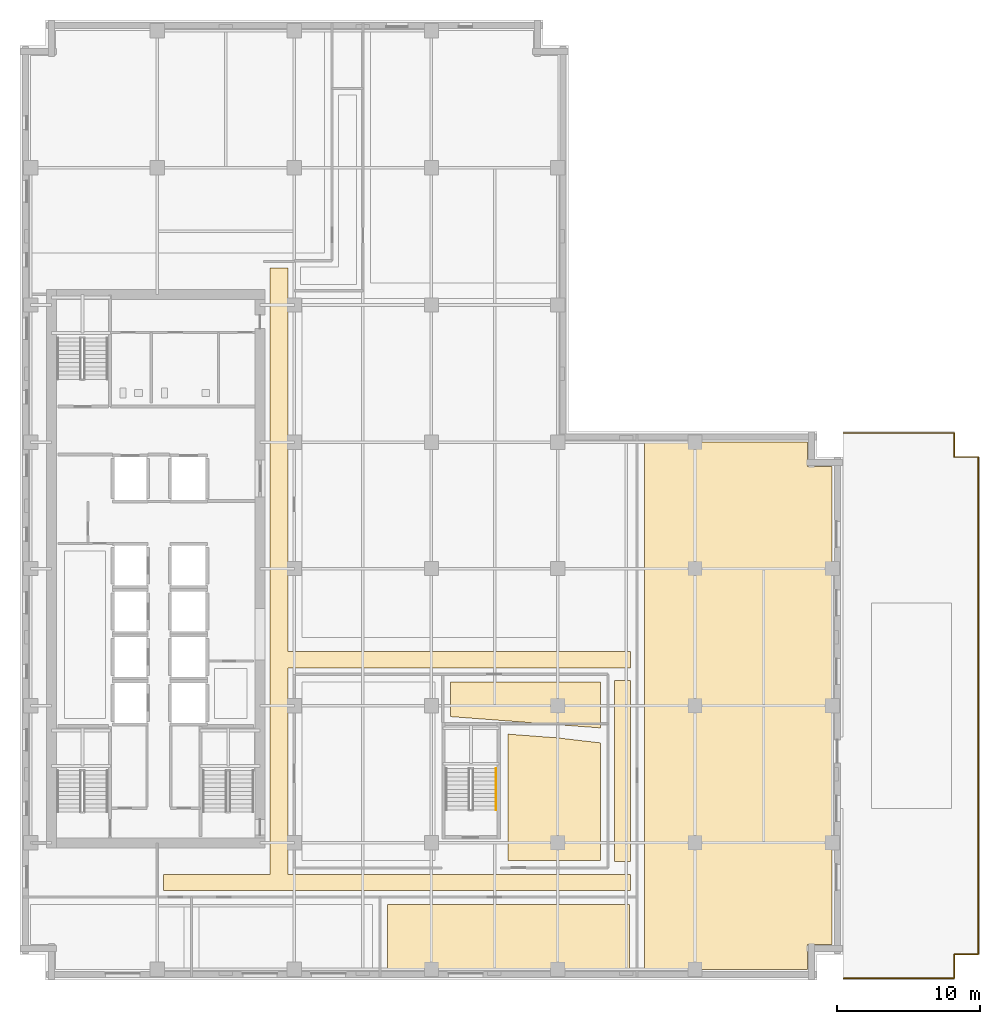
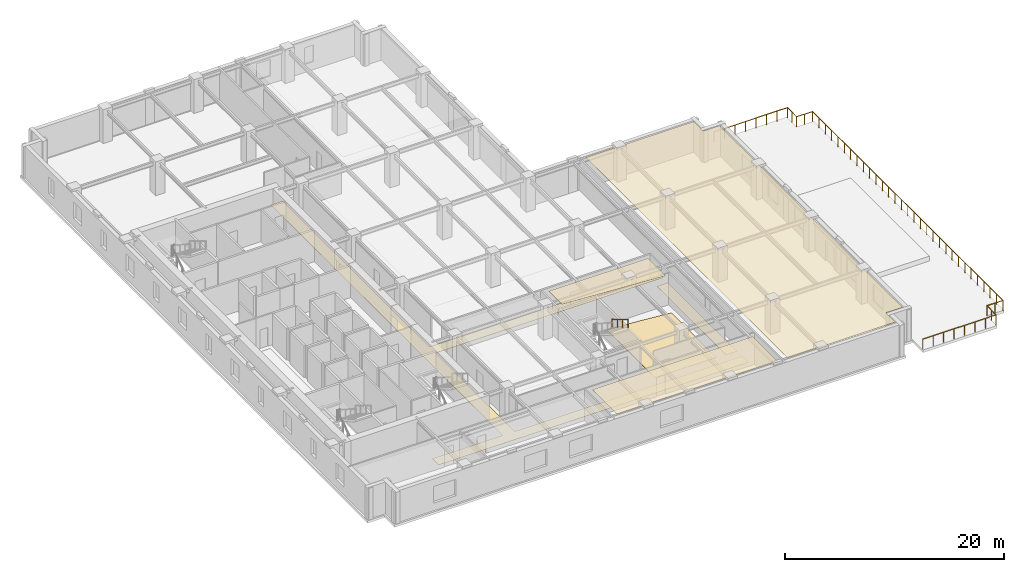
# One storey, part 9 of 12: 6 coverings, 2 railings.
"""IFC4 building model written with IfcOpenShell, lengths in metres."""

from ifc_helpers import new_model, si_unit, direction, frame, origin, origin_2d, place, context, subcontext, project, spatial, polyline, circle, outline, extrude, material, layer, layer_set, type_object, element, save


model = new_model("IFC4")

# Units and contexts
model_context = context("Model", 3, precision=1e-05, world=origin(), true_north=direction((0.0, 1.0)))
body_context = subcontext(model_context, "Body", "Model", "MODEL_VIEW")
ifc_project = project(units=[si_unit("LENGTHUNIT", "METRE"), si_unit("AREAUNIT", "SQUARE_METRE"), si_unit("VOLUMEUNIT", "CUBIC_METRE"), si_unit("PLANEANGLEUNIT", "RADIAN"), si_unit("MASSUNIT", "GRAM", prefix="KILO")], contexts=[model_context])

# Site, building, storey
site_placement = place(None, origin())
site = spatial("IfcSite", under=ifc_project, at=site_placement, CompositionType="ELEMENT")
building_placement = place(site_placement, origin())
building = spatial("IfcBuilding", under=site, at=building_placement, Name="Norrvale University Quadrangle", CompositionType="ELEMENT")
storey_placement = place(building_placement, frame((0.0, 0.0, 101.39990234375)))
storey = spatial("IfcBuildingStorey", under=building, at=storey_placement, Name="L25", CompositionType="ELEMENT", Elevation=101.39990234375)

# Coverings
ifc_material_1 = material(Name="Perforated Acoustic Mineral Ceiling")
ifc_layer_1 = layer(ifc_material_1, 0.02490234375, Name="Perforated Acoustic Mineral Ceiling")
ifc_layer_set_1 = layer_set([ifc_layer_1], Name="Perforated Acoustic Mineral Ceiling")
covering_type_1 = type_object("IfcCoveringType", Name="Covering Acoustic Ceiling 25", PredefinedType="CEILING", material=ifc_layer_set_1)
covering_1_placement = place(storey_placement, frame((0.0, 0.0, 3.51513671875)))
element("IfcCovering", 1, at=covering_1_placement, inside=storey, type_object=covering_type_1, Name="Acoustic Ceiling RM-L25-S03", PredefinedType="CEILING", context=body_context, shape_type="SweptSolid", body=[
    extrude(outline(polyline([(25.72998046875, 5.27001953125), (42.669921875, 5.27001953125), (42.669921875, 0.75), (25.72998046875, 0.75), (25.72998046875, 5.27001953125)])), origin(), (0.0, 0.0, 1.0), 0.02490234375),
])
covering_2_placement = place(storey_placement, frame((0.0, 0.0, 3.51513671875)))
element("IfcCovering", 2, at=covering_2_placement, inside=storey, type_object=covering_type_1, Name="Acoustic Ceiling RM-L25-E01", PredefinedType="CEILING", context=body_context, shape_type="SweptSolid", body=[
    extrude(outline(polyline([(43.72998046875, 0.75), (43.72998046875, 37.64990234375), (55.1298828125, 37.64990234375), (55.1298828125, 35.929931640625), (56.85009765625, 35.929931640625), (56.85009765625, 2.469970703125), (55.1298828125, 2.469970703125), (55.1298828125, 0.75), (43.72998046875, 0.75)])), origin(), (0.0, 0.0, 1.0), 0.02490234375),
])
covering_3_placement = place(storey_placement, frame((0.0, 0.0, 3.51513671875)))
element("IfcCovering", 3, at=covering_3_placement, inside=storey, type_object=covering_type_1, Name="Acoustic Ceiling RM-L25-ILH", PredefinedType="CEILING", context=body_context, shape_type="SweptSolid", body=[
    extrude(outline(polyline([(30.1298828125, 18.43701171875), (30.1298828125, 20.8701171875), (40.6201171875, 20.8701171875), (40.6201171875, 17.64501953125), (30.1298828125, 18.43701171875)])), origin(), (0.0, 0.0, 1.0), 0.02490234375),
])
ifc_material_2 = material(Name="Polished Terrazzo Flooring")
ifc_layer_2 = layer(ifc_material_2, 0.02490234375, Name="Polished Terrazzo Flooring")
ifc_layer_set_2 = layer_set([ifc_layer_2], Name="Polished Terrazzo Flooring")
covering_type_2 = type_object("IfcCoveringType", Name="Covering Terrazzo Floor 30", PredefinedType="FLOORING", material=ifc_layer_set_2)
covering_4_placement = place(storey_placement, origin())
element("IfcCovering", 4, at=covering_4_placement, inside=storey, type_object=covering_type_2, Name="Terrazzo Flooring RM-L25-CORR1", PredefinedType="FLOORING", context=body_context, shape_type="SweptSolid", body=[
    extrude(outline(polyline([(10.050048828125, 6.25), (10.050048828125, 7.39990234375), (17.5, 7.39990234375), (17.5, 49.85009765625), (18.75, 49.85009765625), (18.75, 23.0), (42.75, 23.0), (42.75, 21.85009765625), (18.75, 21.85009765625), (18.75, 7.39990234375), (42.75, 7.39990234375), (42.75, 6.25), (10.050048828125, 6.25)])), origin(), (0.0, 0.0, 1.0), 0.025146484375),
])
covering_5_placement = place(storey_placement, origin())
element("IfcCovering", 5, at=covering_5_placement, inside=storey, type_object=covering_type_2, Name="Terrazzo Flooring RM-L25-CORR2", PredefinedType="FLOORING", context=body_context, shape_type="SweptSolid", body=[
    extrude(outline(polyline([(41.60009765625, 8.300048828125), (41.60009765625, 20.949951171875), (42.75, 20.949951171875), (42.75, 8.300048828125), (41.60009765625, 8.300048828125)])), origin(), (0.0, 0.0, 1.0), 0.025146484375),
])
covering_6_placement = place(storey_placement, origin())
element("IfcCovering", 6, at=covering_6_placement, inside=storey, type_object=covering_type_2, Name="Terrazzo Flooring RM-L25-ISE", PredefinedType="FLOORING", context=body_context, shape_type="SweptSolid", body=[
    extrude(outline(polyline([(40.6201171875, 16.60009765625), (40.6201171875, 8.3798828125), (34.14990234375, 8.3798828125), (34.14990234375, 17.2109375), (37.62890625, 16.948974609375), (40.6201171875, 16.60009765625)])), origin(), (0.0, 0.0, 1.0), 0.025146484375),
])

# Railings
ifc_material_3 = material(Name="Stainless Steel 316L Handrail", Category="steel")
railing_type_1 = type_object("IfcRailingType", Name="Railing Stair Handrail 920", PredefinedType="HANDRAIL", material=ifc_material_3)
railing_1_placement = place(storey_placement, frame((33.31005859375, 14.800048828125, 2.07275390625)))
element("IfcRailing", 7, at=railing_1_placement, inside=storey, type_object=railing_type_1, Name="Stair Upper Flight Handrail ST-04 L25", PredefinedType="HANDRAIL", context=body_context, shape_type="SweptSolid", body=[
    extrude(circle(Radius=0.02392578125, at=origin_2d()), frame((0.0, 0.0, 0.89599609375), z_axis=(0.0, -0.859160404282, 0.51170636083), x_axis=(1.0, 0.0, 0.0)), (0.0, 0.0, 1.0), 3.37548828125),
    extrude(circle(Radius=0.02099609375, at=origin_2d()), origin(), (0.0, 0.0, 1.0), 0.871826171875),
    extrude(circle(Radius=0.02099609375, at=origin_2d()), frame((0.0, -0.966796875, 0.57568359375)), (0.0, 0.0, 1.0), 0.871826171875),
    extrude(circle(Radius=0.02099609375, at=origin_2d()), frame((0.0, -1.933349609375, 1.151611328125)), (0.0, 0.0, 1.0), 0.871826171875),
    extrude(circle(Radius=0.02099609375, at=origin_2d()), frame((0.0, -2.900146484375, 1.727294921875)), (0.0, 0.0, 1.0), 0.871826171875),
])
ifc_material_4 = material(Name="Stainless Steel 316L Balustrade", Category="steel")
railing_type_2 = type_object("IfcRailingType", Name="Railing Terrace Guard 1150", PredefinedType="BALUSTRADE", material=ifc_material_4)
railing_2_placement = place(storey_placement, frame((57.64990234375, 0.1201171875, 0.0)))
element("IfcRailing", 8, at=railing_2_placement, inside=storey, type_object=railing_type_2, Name="L25 East Setback Terrace Balustrade", PredefinedType="BALUSTRADE", context=body_context, shape_type="SweptSolid", body=[
    extrude(circle(Radius=0.02392578125, at=origin_2d()), frame((0.0, 0.0, 1.1259765625), z_axis=(1.0, 0.0, 0.0), x_axis=(0.0, 1.0, 0.0)), (0.0, 0.0, 1.0), 7.75),
    extrude(circle(Radius=0.02392578125, at=origin_2d()), frame((7.75, 0.0, 1.1259765625), z_axis=(0.0, 1.0, 0.0), x_axis=(-1.0, 0.0, 0.0)), (0.0, 0.0, 1.0), 1.679931640625),
    extrude(circle(Radius=0.02392578125, at=origin_2d()), frame((7.75, 1.679931640625, 1.1259765625), z_axis=(1.0, 0.0, 0.0), x_axis=(0.0, 1.0, 0.0)), (0.0, 0.0, 1.0), 1.68017578125),
    extrude(circle(Radius=0.02392578125, at=origin_2d()), frame((9.43017578125, 1.679931640625, 1.1259765625), z_axis=(0.0, 1.0, 0.0), x_axis=(-1.0, 0.0, 0.0)), (0.0, 0.0, 1.0), 34.800048828125),
    extrude(circle(Radius=0.02392578125, at=origin_2d()), frame((9.43017578125, 36.47998046875, 1.1259765625), z_axis=(-1.0, 0.0, 0.0), x_axis=(0.0, -1.0, 0.0)), (0.0, 0.0, 1.0), 1.68017578125),
    extrude(circle(Radius=0.02392578125, at=origin_2d()), frame((7.75, 36.47998046875, 1.1259765625), z_axis=(0.0, 1.0, 0.0), x_axis=(-1.0, 0.0, 0.0)), (0.0, 0.0, 1.0), 1.679931640625),
    extrude(circle(Radius=0.02392578125, at=origin_2d()), frame((7.75, 38.159912109375, 1.1259765625), z_axis=(-1.0, 0.0, 0.0), x_axis=(0.0, -1.0, 0.0)), (0.0, 0.0, 1.0), 7.75),
    extrude(circle(Radius=0.02099609375, at=origin_2d()), origin(), (0.0, 0.0, 1.0), 1.101806640625),
    extrude(circle(Radius=0.02099609375, at=origin_2d()), frame((1.107177734375, 0.0, 0.0)), (0.0, 0.0, 1.0), 1.101806640625),
    extrude(circle(Radius=0.02099609375, at=origin_2d()), frame((2.21435546875, 0.0, 0.0)), (0.0, 0.0, 1.0), 1.101806640625),
    extrude(circle(Radius=0.02099609375, at=origin_2d()), frame((3.321533203125, 0.0, 0.0)), (0.0, 0.0, 1.0), 1.101806640625),
    extrude(circle(Radius=0.02099609375, at=origin_2d()), frame((4.428466796875, 0.0, 0.0)), (0.0, 0.0, 1.0), 1.101806640625),
    extrude(circle(Radius=0.02099609375, at=origin_2d()), frame((5.53564453125, 0.0, 0.0)), (0.0, 0.0, 1.0), 1.101806640625),
    extrude(circle(Radius=0.02099609375, at=origin_2d()), frame((6.642822265625, 0.0, 0.0)), (0.0, 0.0, 1.0), 1.101806640625),
    extrude(circle(Radius=0.02099609375, at=origin_2d()), frame((7.75, 0.0, 0.0)), (0.0, 0.0, 1.0), 1.101806640625),
    extrude(circle(Radius=0.02099609375, at=origin_2d()), frame((7.75, 0.83984375, 0.0)), (0.0, 0.0, 1.0), 1.101806640625),
    extrude(circle(Radius=0.02099609375, at=origin_2d()), frame((7.75, 1.679931640625, 0.0)), (0.0, 0.0, 1.0), 1.101806640625),
    extrude(circle(Radius=0.02099609375, at=origin_2d()), frame((8.590087890625, 1.679931640625, 0.0)), (0.0, 0.0, 1.0), 1.101806640625),
    extrude(circle(Radius=0.02099609375, at=origin_2d()), frame((9.43017578125, 1.679931640625, 0.0)), (0.0, 0.0, 1.0), 1.101806640625),
    extrude(circle(Radius=0.02099609375, at=origin_2d()), frame((9.43017578125, 2.83984375, 0.0)), (0.0, 0.0, 1.0), 1.101806640625),
    extrude(circle(Radius=0.02099609375, at=origin_2d()), frame((9.43017578125, 4.0, 0.0)), (0.0, 0.0, 1.0), 1.101806640625),
    extrude(circle(Radius=0.02099609375, at=origin_2d()), frame((9.43017578125, 5.159912109375, 0.0)), (0.0, 0.0, 1.0), 1.101806640625),
    extrude(circle(Radius=0.02099609375, at=origin_2d()), frame((9.43017578125, 6.31982421875, 0.0)), (0.0, 0.0, 1.0), 1.101806640625),
    extrude(circle(Radius=0.02099609375, at=origin_2d()), frame((9.43017578125, 7.47998046875, 0.0)), (0.0, 0.0, 1.0), 1.101806640625),
    extrude(circle(Radius=0.02099609375, at=origin_2d()), frame((9.43017578125, 8.639892578125, 0.0)), (0.0, 0.0, 1.0), 1.101806640625),
    extrude(circle(Radius=0.02099609375, at=origin_2d()), frame((9.43017578125, 9.800048828125, 0.0)), (0.0, 0.0, 1.0), 1.101806640625),
    extrude(circle(Radius=0.02099609375, at=origin_2d()), frame((9.43017578125, 10.9599609375, 0.0)), (0.0, 0.0, 1.0), 1.101806640625),
    extrude(circle(Radius=0.02099609375, at=origin_2d()), frame((9.43017578125, 12.119873046875, 0.0)), (0.0, 0.0, 1.0), 1.101806640625),
    extrude(circle(Radius=0.02099609375, at=origin_2d()), frame((9.43017578125, 13.280029296875, 0.0)), (0.0, 0.0, 1.0), 1.101806640625),
    extrude(circle(Radius=0.02099609375, at=origin_2d()), frame((9.43017578125, 14.43994140625, 0.0)), (0.0, 0.0, 1.0), 1.101806640625),
    extrude(circle(Radius=0.02099609375, at=origin_2d()), frame((9.43017578125, 15.599853515625, 0.0)), (0.0, 0.0, 1.0), 1.101806640625),
    extrude(circle(Radius=0.02099609375, at=origin_2d()), frame((9.43017578125, 16.760009765625, 0.0)), (0.0, 0.0, 1.0), 1.101806640625),
    extrude(circle(Radius=0.02099609375, at=origin_2d()), frame((9.43017578125, 17.919921875, 0.0)), (0.0, 0.0, 1.0), 1.101806640625),
    extrude(circle(Radius=0.02099609375, at=origin_2d()), frame((9.43017578125, 19.080078125, 0.0)), (0.0, 0.0, 1.0), 1.101806640625),
    extrude(circle(Radius=0.02099609375, at=origin_2d()), frame((9.43017578125, 20.239990234375, 0.0)), (0.0, 0.0, 1.0), 1.101806640625),
    extrude(circle(Radius=0.02099609375, at=origin_2d()), frame((9.43017578125, 21.39990234375, 0.0)), (0.0, 0.0, 1.0), 1.101806640625),
    extrude(circle(Radius=0.02099609375, at=origin_2d()), frame((9.43017578125, 22.56005859375, 0.0)), (0.0, 0.0, 1.0), 1.101806640625),
    extrude(circle(Radius=0.02099609375, at=origin_2d()), frame((9.43017578125, 23.719970703125, 0.0)), (0.0, 0.0, 1.0), 1.101806640625),
    extrude(circle(Radius=0.02099609375, at=origin_2d()), frame((9.43017578125, 24.8798828125, 0.0)), (0.0, 0.0, 1.0), 1.101806640625),
    extrude(circle(Radius=0.02099609375, at=origin_2d()), frame((9.43017578125, 26.0400390625, 0.0)), (0.0, 0.0, 1.0), 1.101806640625),
    extrude(circle(Radius=0.02099609375, at=origin_2d()), frame((9.43017578125, 27.199951171875, 0.0)), (0.0, 0.0, 1.0), 1.101806640625),
    extrude(circle(Radius=0.02099609375, at=origin_2d()), frame((9.43017578125, 28.35986328125, 0.0)), (0.0, 0.0, 1.0), 1.101806640625),
    extrude(circle(Radius=0.02099609375, at=origin_2d()), frame((9.43017578125, 29.52001953125, 0.0)), (0.0, 0.0, 1.0), 1.101806640625),
    extrude(circle(Radius=0.02099609375, at=origin_2d()), frame((9.43017578125, 30.679931640625, 0.0)), (0.0, 0.0, 1.0), 1.101806640625),
    extrude(circle(Radius=0.02099609375, at=origin_2d()), frame((9.43017578125, 31.840087890625, 0.0)), (0.0, 0.0, 1.0), 1.101806640625),
    extrude(circle(Radius=0.02099609375, at=origin_2d()), frame((9.43017578125, 33.0, 0.0)), (0.0, 0.0, 1.0), 1.101806640625),
    extrude(circle(Radius=0.02099609375, at=origin_2d()), frame((9.43017578125, 34.159912109375, 0.0)), (0.0, 0.0, 1.0), 1.101806640625),
    extrude(circle(Radius=0.02099609375, at=origin_2d()), frame((9.43017578125, 35.320068359375, 0.0)), (0.0, 0.0, 1.0), 1.101806640625),
    extrude(circle(Radius=0.02099609375, at=origin_2d()), frame((9.43017578125, 36.47998046875, 0.0)), (0.0, 0.0, 1.0), 1.101806640625),
    extrude(circle(Radius=0.02099609375, at=origin_2d()), frame((8.590087890625, 36.47998046875, 0.0)), (0.0, 0.0, 1.0), 1.101806640625),
    extrude(circle(Radius=0.02099609375, at=origin_2d()), frame((7.75, 36.47998046875, 0.0)), (0.0, 0.0, 1.0), 1.101806640625),
    extrude(circle(Radius=0.02099609375, at=origin_2d()), frame((7.75, 37.31982421875, 0.0)), (0.0, 0.0, 1.0), 1.101806640625),
    extrude(circle(Radius=0.02099609375, at=origin_2d()), frame((7.75, 38.159912109375, 0.0)), (0.0, 0.0, 1.0), 1.101806640625),
    extrude(circle(Radius=0.02099609375, at=origin_2d()), frame((6.642822265625, 38.159912109375, 0.0)), (0.0, 0.0, 1.0), 1.101806640625),
    extrude(circle(Radius=0.02099609375, at=origin_2d()), frame((5.53564453125, 38.159912109375, 0.0)), (0.0, 0.0, 1.0), 1.101806640625),
    extrude(circle(Radius=0.02099609375, at=origin_2d()), frame((4.428466796875, 38.159912109375, 0.0)), (0.0, 0.0, 1.0), 1.101806640625),
    extrude(circle(Radius=0.02099609375, at=origin_2d()), frame((3.321533203125, 38.159912109375, 0.0)), (0.0, 0.0, 1.0), 1.101806640625),
    extrude(circle(Radius=0.02099609375, at=origin_2d()), frame((2.21435546875, 38.159912109375, 0.0)), (0.0, 0.0, 1.0), 1.101806640625),
    extrude(circle(Radius=0.02099609375, at=origin_2d()), frame((1.107177734375, 38.159912109375, 0.0)), (0.0, 0.0, 1.0), 1.101806640625),
    extrude(circle(Radius=0.02099609375, at=origin_2d()), frame((0.0, 38.159912109375, 0.0)), (0.0, 0.0, 1.0), 1.101806640625),
])

save(model, "model.ifc")
